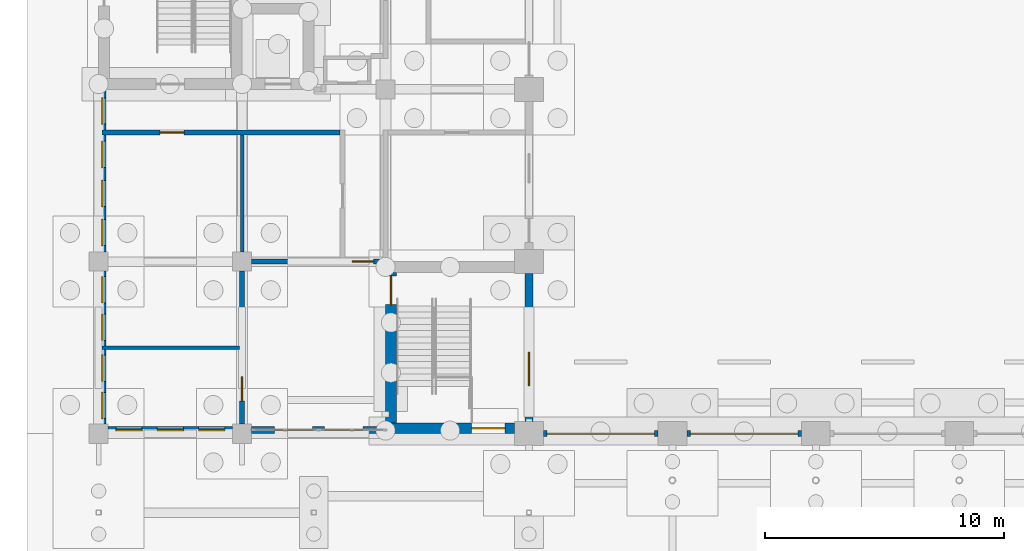
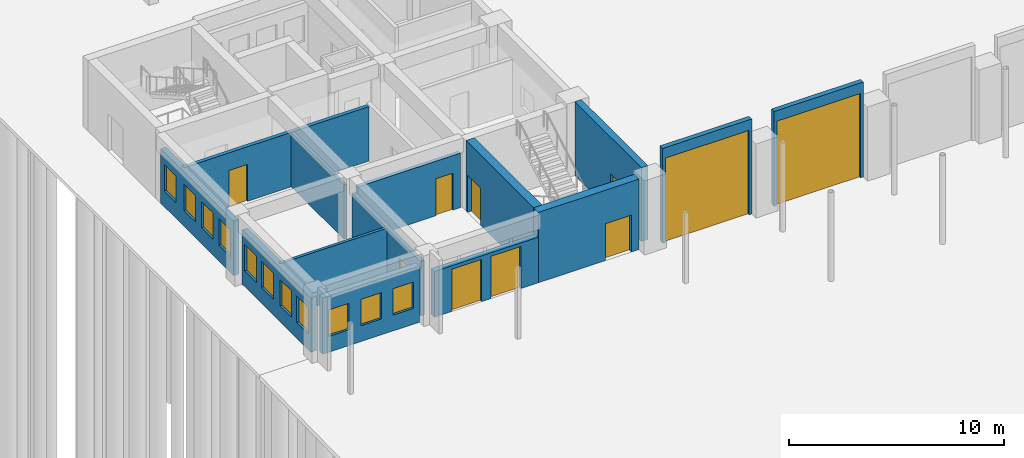
# One storey, part 20 of 37: 14 walls, 11 windows, 10 doors, 21 openings.
"""IFC4 building model written with IfcOpenShell, lengths in metres."""

from ifc_helpers import new_model, si_unit, direction, frame, frame_2d, origin, place, context, subcontext, project, spatial, rectangle, extrude, material, layer, layer_set, type_object, element, fill, save


model = new_model("IFC4")

# Units and contexts
model_context = context("Model", 3, precision=1e-05, world=origin(), true_north=direction((0.0, 1.0)))
body_context = subcontext(model_context, "Body", "Model", "MODEL_VIEW")
ifc_project = project(units=[si_unit("LENGTHUNIT", "METRE"), si_unit("AREAUNIT", "SQUARE_METRE"), si_unit("VOLUMEUNIT", "CUBIC_METRE"), si_unit("PLANEANGLEUNIT", "RADIAN"), si_unit("MASSUNIT", "GRAM", prefix="KILO")], contexts=[model_context])

# Site, building, storey
site_placement = place(None, origin())
site = spatial("IfcSite", under=ifc_project, at=site_placement, CompositionType="ELEMENT")
building_placement = place(site_placement, origin())
building = spatial("IfcBuilding", under=site, at=building_placement, Name="Laocheng Heights Fire and Rescue Headquarters", CompositionType="ELEMENT")
storey_placement = place(building_placement, origin())
storey = spatial("IfcBuildingStorey", under=building, at=storey_placement, Name="L00", CompositionType="ELEMENT", Elevation=0.0)

# Wall, opening, door
ifc_material_1 = material(Name="Gypsum plaster")
ifc_layer_1 = layer(ifc_material_1, 0.010009765625, Name="PLASTER", Category="plaster")
ifc_material_2 = material(Name="Concrete blockwork MU10", Category="masonry")
ifc_layer_2 = layer(ifc_material_2, 0.179931640625, Name="BLOCKWORK", Category="masonry")
ifc_layer_3 = layer(ifc_material_1, 0.010009765625, Name="PLASTER", Category="plaster")
ifc_layer_set_1 = layer_set([ifc_layer_1, ifc_layer_2, ifc_layer_3], Name="Concrete blockwork MU10")
wall_type_1 = type_object("IfcWallType", Name="BLOCKWORK FIRE PARTITION 200 EI 60 BAY", PredefinedType="PARTITIONING", material=ifc_layer_set_1)
wall_1_placement = place(storey_placement, frame((6.0, 0.39990234375, 0.0), z_axis=(0.0, 0.0, 1.0), x_axis=(0.0, 1.0, 0.0)))
wall_1 = element("IfcWall", 1, at=wall_1_placement, inside=storey, type_object=wall_type_1, Name="Partition L00-001", PredefinedType="PARTITIONING", context=body_context, shape_type="SweptSolid", body=[
    extrude(rectangle(XDim=6.400146484375, YDim=0.199951171875, at=frame_2d((3.2001953125, 0.0))), origin(), (0.0, 0.0, 1.0), 3.10009765625),
])
opening_1_placement = place(wall_1_placement, frame((0.97509765625, 0.0, 0.0)))
opening_1 = element("IfcOpeningElement", 2, at=opening_1_placement, cuts=wall_1, Name="Opening L00-I01", PredefinedType="OPENING", context=body_context, shape_type="SweptSolid", body=[
    extrude(rectangle(XDim=1.0, YDim=2.10009765625, at=frame_2d((0.5, 1.050048828125))), frame((0.0, 0.10986328125, 0.0), z_axis=(0.0, -1.0, 0.0), x_axis=(1.0, 0.0, 0.0)), (0.0, 0.0, 1.0), 0.219970703125),
])
ifc_material_3 = material(Name="Steel door leaf, painted", Category="steel")
door_type_1 = type_object("IfcDoorType", Name="STEEL FIRE DOOR 1000x2100 EI 60 BAY", OperationType="SINGLE_SWING_LEFT", PredefinedType="DOOR", material=ifc_material_3)
door_1_placement = place(opening_1_placement, origin())
door_1 = element("IfcDoor", 3, at=door_1_placement, inside=storey, type_object=door_type_1, Name="Door L00-I01", OperationType="SINGLE_SWING_LEFT", OverallHeight=2.10009765625, OverallWidth=1.0, PredefinedType="DOOR", context=body_context, shape_type="SweptSolid", body=[
    extrude(rectangle(XDim=1.0, YDim=2.10009765625, at=frame_2d((0.5, 1.050048828125))), frame((0.0, 0.02490234375, 0.0), z_axis=(0.0, -1.0, 0.0), x_axis=(1.0, 0.0, 0.0)), (0.0, 0.0, 1.0), 0.050048828125),
])
fill(opening_1, door_1)

wall_2_placement = place(storey_placement, frame((6.39990234375, 7.199951171875, 0.0), z_axis=(0.0, 0.0, 1.0), x_axis=(1.0, 0.0, 0.0)))
wall_2 = element("IfcWall", 4, at=wall_2_placement, inside=storey, type_object=wall_type_1, Name="Partition L00-020", PredefinedType="PARTITIONING", context=body_context, shape_type="SweptSolid", body=[
    extrude(rectangle(XDim=5.5, YDim=0.199951171875, at=frame_2d((2.75, 0.0))), origin(), (0.0, 0.0, 1.0), 3.10009765625),
])
opening_2_placement = place(wall_2_placement, frame((4.199951171875, 0.0, 0.0)))
opening_2 = element("IfcOpeningElement", 5, at=opening_2_placement, cuts=wall_2, Name="Opening L00-I02", PredefinedType="OPENING", context=body_context, shape_type="SweptSolid", body=[
    extrude(rectangle(XDim=0.89990234375, YDim=2.10009765625, at=frame_2d((0.449951171875, 1.050048828125))), frame((0.0, 0.10986328125, 0.0), z_axis=(0.0, -1.0, 0.0), x_axis=(1.0, 0.0, 0.0)), (0.0, 0.0, 1.0), 0.219970703125),
])
ifc_material_4 = material(Name="Steel door leaf, painted", Category="steel")
door_type_2 = type_object("IfcDoorType", Name="STEEL FIRE DOOR 900x2100 EI 60 BAY", OperationType="SINGLE_SWING_LEFT", PredefinedType="DOOR", material=ifc_material_4)
door_2_placement = place(opening_2_placement, frame((0.89990234375, 0.0, 0.0), z_axis=(0.0, 0.0, 1.0), x_axis=(-1.0, 0.0, 0.0)))
door_2 = element("IfcDoor", 6, at=door_2_placement, inside=storey, type_object=door_type_2, Name="Door L00-I02", OperationType="SINGLE_SWING_LEFT", OverallHeight=2.10009765625, OverallWidth=0.89990234375, PredefinedType="DOOR", context=body_context, shape_type="SweptSolid", body=[
    extrude(rectangle(XDim=0.89990234375, YDim=2.10009765625, at=frame_2d((0.449951171875, 1.050048828125))), frame((0.0, 0.02490234375, 0.0), z_axis=(0.0, -1.0, 0.0), x_axis=(1.0, 0.0, 0.0)), (0.0, 0.0, 1.0), 0.050048828125),
])
fill(opening_2, door_2)

wall_3_placement = place(storey_placement, frame((0.14990234375, 12.60009765625, 0.0), z_axis=(0.0, 0.0, 1.0), x_axis=(1.0, 0.0, 0.0)))
wall_3 = element("IfcWall", 7, at=wall_3_placement, inside=storey, type_object=wall_type_1, Name="Partition L00-021", PredefinedType="PARTITIONING", context=body_context, shape_type="SweptSolid", body=[
    extrude(rectangle(XDim=9.9501953125, YDim=0.199951171875, at=frame_2d((4.97509765625, 0.0))), origin(), (0.0, 0.0, 1.0), 3.10009765625),
])
opening_3_placement = place(wall_3_placement, frame((2.425048828125, 0.0, 0.0)))
opening_3 = element("IfcOpeningElement", 8, at=opening_3_placement, cuts=wall_3, Name="Opening L00-I03", PredefinedType="OPENING", context=body_context, shape_type="SweptSolid", body=[
    extrude(rectangle(XDim=1.0, YDim=2.10009765625, at=frame_2d((0.5, 1.050048828125))), frame((0.0, 0.10986328125, 0.0), z_axis=(0.0, -1.0, 0.0), x_axis=(1.0, 0.0, 0.0)), (0.0, 0.0, 1.0), 0.219970703125),
])
door_3_placement = place(opening_3_placement, frame((1.0, 0.0, 0.0), z_axis=(0.0, 0.0, 1.0), x_axis=(-1.0, 0.0, 0.0)))
door_3 = element("IfcDoor", 9, at=door_3_placement, inside=storey, type_object=door_type_1, Name="Door L00-I03", OperationType="SINGLE_SWING_RIGHT", OverallHeight=2.10009765625, OverallWidth=1.0, PredefinedType="DOOR", context=body_context, shape_type="SweptSolid", body=[
    extrude(rectangle(XDim=1.0, YDim=2.10009765625, at=frame_2d((0.5, 1.050048828125))), frame((0.0, 0.02490234375, 0.0), z_axis=(0.0, -1.0, 0.0), x_axis=(1.0, 0.0, 0.0)), (0.0, 0.0, 1.0), 0.050048828125),
])
fill(opening_3, door_3)

# Walls
ifc_material_5 = material(Name="Gypsum plaster")
ifc_layer_4 = layer(ifc_material_5, 0.010009765625, Name="PLASTER", Category="plaster")
ifc_material_6 = material(Name="Concrete blockwork MU10", Category="masonry")
ifc_layer_5 = layer(ifc_material_6, 0.1298828125, Name="BLOCKWORK", Category="masonry")
ifc_layer_6 = layer(ifc_material_5, 0.010009765625, Name="PLASTER", Category="plaster")
ifc_layer_set_2 = layer_set([ifc_layer_4, ifc_layer_5, ifc_layer_6], Name="Concrete blockwork MU10")
wall_type_2 = type_object("IfcWallType", Name="BLOCKWORK PARTITION 150 EI 45 BAY", PredefinedType="PARTITIONING", material=ifc_layer_set_2)
wall_4_placement = place(storey_placement, frame((6.0, 7.60009765625, 0.0), z_axis=(0.0, 0.0, 1.0), x_axis=(0.0, 1.0, 0.0)))
element("IfcWall", 10, at=wall_4_placement, inside=storey, type_object=wall_type_2, Name="Partition L00-002", PredefinedType="PARTITIONING", context=body_context, shape_type="SweptSolid", body=[
    extrude(rectangle(XDim=4.89990234375, YDim=0.14990234375, at=frame_2d((2.449951171875, 0.0))), origin(), (0.0, 0.0, 1.0), 3.10009765625),
])
wall_5_placement = place(storey_placement, frame((0.14990234375, 3.60009765625, 0.0), z_axis=(0.0, 0.0, 1.0), x_axis=(1.0, 0.0, 0.0)))
element("IfcWall", 11, at=wall_5_placement, inside=storey, type_object=wall_type_2, Name="Partition L00-017", PredefinedType="PARTITIONING", context=body_context, shape_type="SweptSolid", body=[
    extrude(rectangle(XDim=5.75, YDim=0.14990234375, at=frame_2d((2.875, 0.0))), origin(), (0.0, 0.0, 1.0), 3.10009765625),
])

# Wall, openings, windows
ifc_material_7 = material(Name="Precast concrete C40/50", Category="concrete")
ifc_layer_7 = layer(ifc_material_7, 0.300048828125)
ifc_layer_set_3 = layer_set([ifc_layer_7], Name="Precast concrete C40/50")
wall_type_3 = type_object("IfcWallType", Name="PRECAST SANDWICH WALL 300 WEST FLANK", PredefinedType="SOLIDWALL", material=ifc_layer_set_3)
wall_6_placement = place(storey_placement, frame((0.39990234375, 0.14990234375, 0.0), z_axis=(0.0, 0.0, 1.0), x_axis=(1.0, 0.0, 0.0)))
wall_6 = element("IfcWall", 12, at=wall_6_placement, inside=storey, type_object=wall_type_3, Name="Flank W wall L00", PredefinedType="SOLIDWALL", context=body_context, shape_type="SweptSolid", body=[
    extrude(rectangle(XDim=5.2001953125, YDim=0.300048828125, at=frame_2d((2.60009765625, 0.0))), origin(), (0.0, 0.0, 1.0), 3.199951171875),
])
opening_4_placement = place(wall_6_placement, frame((0.316650390625, 0.0, 0.89990234375)))
opening_4 = element("IfcOpeningElement", 13, at=opening_4_placement, cuts=wall_6, Name="Opening N1-E", PredefinedType="OPENING", context=body_context, shape_type="SweptSolid", body=[
    extrude(rectangle(XDim=1.10009765625, YDim=1.5, at=frame_2d((0.550048828125, 0.75))), frame((0.0, 0.159912109375, 0.0), z_axis=(0.0, -1.0, 0.0), x_axis=(1.0, 0.0, 0.0)), (0.0, 0.0, 1.0), 0.320068359375),
])
opening_5_placement = place(wall_6_placement, frame((2.050048828125, 0.0, 0.89990234375)))
opening_5 = element("IfcOpeningElement", 14, at=opening_5_placement, cuts=wall_6, Name="Opening N1-E", PredefinedType="OPENING", context=body_context, shape_type="SweptSolid", body=[
    extrude(rectangle(XDim=1.10009765625, YDim=1.5, at=frame_2d((0.550048828125, 0.75))), frame((0.0, 0.159912109375, 0.0), z_axis=(0.0, -1.0, 0.0), x_axis=(1.0, 0.0, 0.0)), (0.0, 0.0, 1.0), 0.320068359375),
])
opening_6_placement = place(wall_6_placement, frame((3.783203125, 0.0, 0.89990234375)))
opening_6 = element("IfcOpeningElement", 15, at=opening_6_placement, cuts=wall_6, Name="Opening N1-E", PredefinedType="OPENING", context=body_context, shape_type="SweptSolid", body=[
    extrude(rectangle(XDim=1.10009765625, YDim=1.5, at=frame_2d((0.550048828125, 0.75))), frame((0.0, 0.159912109375, 0.0), z_axis=(0.0, -1.0, 0.0), x_axis=(1.0, 0.0, 0.0)), (0.0, 0.0, 1.0), 0.320068359375),
])
ifc_material_8 = material(Name="Low-e double glazing in thermally broken aluminium frame", Category="aluminium")
window_type = type_object("IfcWindowType", Name="CASEMENT WINDOW 1100 x 1500 SILL 900", PartitioningType="SINGLE_PANEL", PredefinedType="WINDOW", material=ifc_material_8)
window_1_placement = place(opening_4_placement, origin())
window_1 = element("IfcWindow", 16, at=window_1_placement, inside=storey, type_object=window_type, Name="Flank_W window L00", OverallHeight=1.5, OverallWidth=1.10009765625, PartitioningType="SINGLE_PANEL", PredefinedType="WINDOW", context=body_context, shape_type="SweptSolid", body=[
    extrude(rectangle(XDim=1.10009765625, YDim=1.5, at=frame_2d((0.550048828125, 0.75))), frame((0.0, 0.030029296875, 0.0), z_axis=(0.0, -1.0, 0.0), x_axis=(1.0, 0.0, 0.0)), (0.0, 0.0, 1.0), 0.06005859375),
])
fill(opening_4, window_1)
window_2_placement = place(opening_5_placement, origin())
window_2 = element("IfcWindow", 17, at=window_2_placement, inside=storey, type_object=window_type, Name="Flank_W window L00", OverallHeight=1.5, OverallWidth=1.10009765625, PartitioningType="SINGLE_PANEL", PredefinedType="WINDOW", context=body_context, shape_type="SweptSolid", body=[
    extrude(rectangle(XDim=1.10009765625, YDim=1.5, at=frame_2d((0.550048828125, 0.75))), frame((0.0, 0.030029296875, 0.0), z_axis=(0.0, -1.0, 0.0), x_axis=(1.0, 0.0, 0.0)), (0.0, 0.0, 1.0), 0.06005859375),
])
fill(opening_5, window_2)
window_3_placement = place(opening_6_placement, origin())
window_3 = element("IfcWindow", 18, at=window_3_placement, inside=storey, type_object=window_type, Name="Flank_W window L00", OverallHeight=1.5, OverallWidth=1.10009765625, PartitioningType="SINGLE_PANEL", PredefinedType="WINDOW", context=body_context, shape_type="SweptSolid", body=[
    extrude(rectangle(XDim=1.10009765625, YDim=1.5, at=frame_2d((0.550048828125, 0.75))), frame((0.0, 0.030029296875, 0.0), z_axis=(0.0, -1.0, 0.0), x_axis=(1.0, 0.0, 0.0)), (0.0, 0.0, 1.0), 0.06005859375),
])
fill(opening_6, window_3)

# Wall, openings, doors
wall_7_placement = place(storey_placement, frame((6.39990234375, 0.14990234375, 0.0), z_axis=(0.0, 0.0, 1.0), x_axis=(1.0, 0.0, 0.0)))
wall_7 = element("IfcWall", 19, at=wall_7_placement, inside=storey, type_object=wall_type_3, Name="Flank W wall L00", PredefinedType="SOLIDWALL", context=body_context, shape_type="SweptSolid", body=[
    extrude(rectangle(XDim=5.60009765625, YDim=0.300048828125, at=frame_2d((2.800048828125, 0.0))), origin(), (0.0, 0.0, 1.0), 2.60009765625),
])
opening_7_placement = place(wall_7_placement, frame((0.949951171875, 0.0, 0.0)))
opening_7 = element("IfcOpeningElement", 20, at=opening_7_placement, cuts=wall_7, Name="Opening L00-E01", PredefinedType="OPENING", context=body_context, shape_type="SweptSolid", body=[
    extrude(rectangle(XDim=1.60009765625, YDim=2.39990234375, at=frame_2d((0.800048828125, 1.199951171875))), frame((0.0, 0.159912109375, 0.0), z_axis=(0.0, -1.0, 0.0), x_axis=(1.0, 0.0, 0.0)), (0.0, 0.0, 1.0), 0.320068359375),
])
opening_8_placement = place(wall_7_placement, frame((3.050048828125, 0.0, 0.0)))
opening_8 = element("IfcOpeningElement", 21, at=opening_8_placement, cuts=wall_7, Name="Opening L00-E02", PredefinedType="OPENING", context=body_context, shape_type="SweptSolid", body=[
    extrude(rectangle(XDim=1.60009765625, YDim=2.39990234375, at=frame_2d((0.800048828125, 1.199951171875))), frame((0.0, 0.159912109375, 0.0), z_axis=(0.0, -1.0, 0.0), x_axis=(1.0, 0.0, 0.0)), (0.0, 0.0, 1.0), 0.320068359375),
])
ifc_material_9 = material(Name="Aluminium framed glazed door, low-e double glazing", Category="aluminium")
door_type_3 = type_object("IfcDoorType", Name="ENTRANCE DOOR GLAZED ALUMINIUM 1600 x 2400 EI 60", OperationType="SINGLE_SWING_LEFT", PredefinedType="DOOR", material=ifc_material_9)
door_4_placement = place(opening_7_placement, frame((1.60009765625, 0.0, 0.0), z_axis=(0.0, 0.0, 1.0), x_axis=(-1.0, 0.0, 0.0)))
door_4 = element("IfcDoor", 22, at=door_4_placement, inside=storey, type_object=door_type_3, Name="Entrance door L00-E01", OperationType="SINGLE_SWING_RIGHT", OverallHeight=2.39990234375, OverallWidth=1.60009765625, PredefinedType="DOOR", context=body_context, shape_type="SweptSolid", body=[
    extrude(rectangle(XDim=1.60009765625, YDim=2.39990234375, at=frame_2d((0.800048828125, 1.199951171875))), frame((0.0, 0.02490234375, 0.0), z_axis=(0.0, -1.0, 0.0), x_axis=(1.0, 0.0, 0.0)), (0.0, 0.0, 1.0), 0.050048828125),
])
fill(opening_7, door_4)
door_5_placement = place(opening_8_placement, frame((1.60009765625, 0.0, 0.0), z_axis=(0.0, 0.0, 1.0), x_axis=(-1.0, 0.0, 0.0)))
door_5 = element("IfcDoor", 23, at=door_5_placement, inside=storey, type_object=door_type_3, Name="Entrance door L00-E02", OperationType="SINGLE_SWING_RIGHT", OverallHeight=2.39990234375, OverallWidth=1.60009765625, PredefinedType="DOOR", context=body_context, shape_type="SweptSolid", body=[
    extrude(rectangle(XDim=1.60009765625, YDim=2.39990234375, at=frame_2d((0.800048828125, 1.199951171875))), frame((0.0, 0.02490234375, 0.0), z_axis=(0.0, -1.0, 0.0), x_axis=(1.0, 0.0, 0.0)), (0.0, 0.0, 1.0), 0.050048828125),
])
fill(opening_8, door_5)

# Wall, openings, windows
wall_8_placement = place(storey_placement, frame((0.14990234375, 0.39990234375, 0.0), z_axis=(0.0, 0.0, 1.0), x_axis=(0.0, 1.0, 0.0)))
wall_8 = element("IfcWall", 24, at=wall_8_placement, inside=storey, type_object=wall_type_3, Name="Flank W wall L00", PredefinedType="SOLIDWALL", context=body_context, shape_type="SweptSolid", body=[
    extrude(rectangle(XDim=6.400146484375, YDim=0.300048828125, at=frame_2d((3.2001953125, 0.0))), origin(), (0.0, 0.0, 1.0), 3.10009765625),
])
opening_9_placement = place(wall_8_placement, frame((0.231201171875, 0.0, 0.89990234375)))
opening_9 = element("IfcOpeningElement", 25, at=opening_9_placement, cuts=wall_8, Name="Opening N1-E", PredefinedType="OPENING", context=body_context, shape_type="SweptSolid", body=[
    extrude(rectangle(XDim=1.10009765625, YDim=1.5, at=frame_2d((0.550048828125, 0.75))), frame((0.0, 0.159912109375, 0.0), z_axis=(0.0, -1.0, 0.0), x_axis=(1.0, 0.0, 0.0)), (0.0, 0.0, 1.0), 0.320068359375),
])
opening_10_placement = place(wall_8_placement, frame((1.793701171875, 0.0, 0.89990234375)))
opening_10 = element("IfcOpeningElement", 26, at=opening_10_placement, cuts=wall_8, Name="Opening N1-E", PredefinedType="OPENING", context=body_context, shape_type="SweptSolid", body=[
    extrude(rectangle(XDim=1.10009765625, YDim=1.5, at=frame_2d((0.550048828125, 0.75))), frame((0.0, 0.159912109375, 0.0), z_axis=(0.0, -1.0, 0.0), x_axis=(1.0, 0.0, 0.0)), (0.0, 0.0, 1.0), 0.320068359375),
])
opening_11_placement = place(wall_8_placement, frame((3.50634765625, 0.0, 0.89990234375)))
opening_11 = element("IfcOpeningElement", 27, at=opening_11_placement, cuts=wall_8, Name="Opening N1-E", PredefinedType="OPENING", context=body_context, shape_type="SweptSolid", body=[
    extrude(rectangle(XDim=1.10009765625, YDim=1.5, at=frame_2d((0.550048828125, 0.75))), frame((0.0, 0.159912109375, 0.0), z_axis=(0.0, -1.0, 0.0), x_axis=(1.0, 0.0, 0.0)), (0.0, 0.0, 1.0), 0.320068359375),
])
opening_12_placement = place(wall_8_placement, frame((5.068603515625, 0.0, 0.89990234375)))
opening_12 = element("IfcOpeningElement", 28, at=opening_12_placement, cuts=wall_8, Name="Opening N1-E", PredefinedType="OPENING", context=body_context, shape_type="SweptSolid", body=[
    extrude(rectangle(XDim=1.10009765625, YDim=1.5, at=frame_2d((0.550048828125, 0.75))), frame((0.0, 0.159912109375, 0.0), z_axis=(0.0, -1.0, 0.0), x_axis=(1.0, 0.0, 0.0)), (0.0, 0.0, 1.0), 0.320068359375),
])
window_4_placement = place(opening_9_placement, origin())
window_4 = element("IfcWindow", 29, at=window_4_placement, inside=storey, type_object=window_type, Name="Flank_W window L00", OverallHeight=1.5, OverallWidth=1.10009765625, PartitioningType="SINGLE_PANEL", PredefinedType="WINDOW", context=body_context, shape_type="SweptSolid", body=[
    extrude(rectangle(XDim=1.10009765625, YDim=1.5, at=frame_2d((0.550048828125, 0.75))), frame((0.0, 0.030029296875, 0.0), z_axis=(0.0, -1.0, 0.0), x_axis=(1.0, 0.0, 0.0)), (0.0, 0.0, 1.0), 0.06005859375),
])
fill(opening_9, window_4)
window_5_placement = place(opening_10_placement, origin())
window_5 = element("IfcWindow", 30, at=window_5_placement, inside=storey, type_object=window_type, Name="Flank_W window L00", OverallHeight=1.5, OverallWidth=1.10009765625, PartitioningType="SINGLE_PANEL", PredefinedType="WINDOW", context=body_context, shape_type="SweptSolid", body=[
    extrude(rectangle(XDim=1.10009765625, YDim=1.5, at=frame_2d((0.550048828125, 0.75))), frame((0.0, 0.030029296875, 0.0), z_axis=(0.0, -1.0, 0.0), x_axis=(1.0, 0.0, 0.0)), (0.0, 0.0, 1.0), 0.06005859375),
])
fill(opening_10, window_5)
window_6_placement = place(opening_11_placement, origin())
window_6 = element("IfcWindow", 31, at=window_6_placement, inside=storey, type_object=window_type, Name="Flank_W window L00", OverallHeight=1.5, OverallWidth=1.10009765625, PartitioningType="SINGLE_PANEL", PredefinedType="WINDOW", context=body_context, shape_type="SweptSolid", body=[
    extrude(rectangle(XDim=1.10009765625, YDim=1.5, at=frame_2d((0.550048828125, 0.75))), frame((0.0, 0.030029296875, 0.0), z_axis=(0.0, -1.0, 0.0), x_axis=(1.0, 0.0, 0.0)), (0.0, 0.0, 1.0), 0.06005859375),
])
fill(opening_11, window_6)
window_7_placement = place(opening_12_placement, origin())
window_7 = element("IfcWindow", 32, at=window_7_placement, inside=storey, type_object=window_type, Name="Flank_W window L00", OverallHeight=1.5, OverallWidth=1.10009765625, PartitioningType="SINGLE_PANEL", PredefinedType="WINDOW", context=body_context, shape_type="SweptSolid", body=[
    extrude(rectangle(XDim=1.10009765625, YDim=1.5, at=frame_2d((0.550048828125, 0.75))), frame((0.0, 0.030029296875, 0.0), z_axis=(0.0, -1.0, 0.0), x_axis=(1.0, 0.0, 0.0)), (0.0, 0.0, 1.0), 0.06005859375),
])
fill(opening_12, window_7)

wall_9_placement = place(storey_placement, frame((0.14990234375, 7.60009765625, 0.0), z_axis=(0.0, 0.0, 1.0), x_axis=(0.0, 1.0, 0.0)))
wall_9 = element("IfcWall", 33, at=wall_9_placement, inside=storey, type_object=wall_type_3, Name="Flank W wall L00", PredefinedType="SOLIDWALL", context=body_context, shape_type="SweptSolid", body=[
    extrude(rectangle(XDim=6.7998046875, YDim=0.300048828125, at=frame_2d((3.39990234375, 0.0))), origin(), (0.0, 0.0, 1.0), 3.10009765625),
])
opening_13_placement = place(wall_9_placement, frame((0.2666015625, 0.0, 0.89990234375)))
opening_13 = element("IfcOpeningElement", 34, at=opening_13_placement, cuts=wall_9, Name="Opening N1-E", PredefinedType="OPENING", context=body_context, shape_type="SweptSolid", body=[
    extrude(rectangle(XDim=1.10009765625, YDim=1.5, at=frame_2d((0.550048828125, 0.75))), frame((0.0, 0.159912109375, 0.0), z_axis=(0.0, -1.0, 0.0), x_axis=(1.0, 0.0, 0.0)), (0.0, 0.0, 1.0), 0.320068359375),
])
opening_14_placement = place(wall_9_placement, frame((1.89990234375, 0.0, 0.89990234375)))
opening_14 = element("IfcOpeningElement", 35, at=opening_14_placement, cuts=wall_9, Name="Opening N1-E", PredefinedType="OPENING", context=body_context, shape_type="SweptSolid", body=[
    extrude(rectangle(XDim=1.10009765625, YDim=1.5, at=frame_2d((0.550048828125, 0.75))), frame((0.0, 0.159912109375, 0.0), z_axis=(0.0, -1.0, 0.0), x_axis=(1.0, 0.0, 0.0)), (0.0, 0.0, 1.0), 0.320068359375),
])
opening_15_placement = place(wall_9_placement, frame((3.533203125, 0.0, 0.89990234375)))
opening_15 = element("IfcOpeningElement", 36, at=opening_15_placement, cuts=wall_9, Name="Opening N1-E", PredefinedType="OPENING", context=body_context, shape_type="SweptSolid", body=[
    extrude(rectangle(XDim=1.10009765625, YDim=1.5, at=frame_2d((0.550048828125, 0.75))), frame((0.0, 0.159912109375, 0.0), z_axis=(0.0, -1.0, 0.0), x_axis=(1.0, 0.0, 0.0)), (0.0, 0.0, 1.0), 0.320068359375),
])
opening_16_placement = place(wall_9_placement, frame((5.35009765625, 0.0, 0.89990234375)))
opening_16 = element("IfcOpeningElement", 37, at=opening_16_placement, cuts=wall_9, Name="Opening N1-E", PredefinedType="OPENING", context=body_context, shape_type="SweptSolid", body=[
    extrude(rectangle(XDim=1.10009765625, YDim=1.5, at=frame_2d((0.550048828125, 0.75))), frame((0.0, 0.159912109375, 0.0), z_axis=(0.0, -1.0, 0.0), x_axis=(1.0, 0.0, 0.0)), (0.0, 0.0, 1.0), 0.320068359375),
])
window_8_placement = place(opening_13_placement, origin())
window_8 = element("IfcWindow", 38, at=window_8_placement, inside=storey, type_object=window_type, Name="Flank_W window L00", OverallHeight=1.5, OverallWidth=1.10009765625, PartitioningType="SINGLE_PANEL", PredefinedType="WINDOW", context=body_context, shape_type="SweptSolid", body=[
    extrude(rectangle(XDim=1.10009765625, YDim=1.5, at=frame_2d((0.550048828125, 0.75))), frame((0.0, 0.030029296875, 0.0), z_axis=(0.0, -1.0, 0.0), x_axis=(1.0, 0.0, 0.0)), (0.0, 0.0, 1.0), 0.06005859375),
])
fill(opening_13, window_8)
window_9_placement = place(opening_14_placement, origin())
window_9 = element("IfcWindow", 39, at=window_9_placement, inside=storey, type_object=window_type, Name="Flank_W window L00", OverallHeight=1.5, OverallWidth=1.10009765625, PartitioningType="SINGLE_PANEL", PredefinedType="WINDOW", context=body_context, shape_type="SweptSolid", body=[
    extrude(rectangle(XDim=1.10009765625, YDim=1.5, at=frame_2d((0.550048828125, 0.75))), frame((0.0, 0.030029296875, 0.0), z_axis=(0.0, -1.0, 0.0), x_axis=(1.0, 0.0, 0.0)), (0.0, 0.0, 1.0), 0.06005859375),
])
fill(opening_14, window_9)
window_10_placement = place(opening_15_placement, origin())
window_10 = element("IfcWindow", 40, at=window_10_placement, inside=storey, type_object=window_type, Name="Flank_W window L00", OverallHeight=1.5, OverallWidth=1.10009765625, PartitioningType="SINGLE_PANEL", PredefinedType="WINDOW", context=body_context, shape_type="SweptSolid", body=[
    extrude(rectangle(XDim=1.10009765625, YDim=1.5, at=frame_2d((0.550048828125, 0.75))), frame((0.0, 0.030029296875, 0.0), z_axis=(0.0, -1.0, 0.0), x_axis=(1.0, 0.0, 0.0)), (0.0, 0.0, 1.0), 0.06005859375),
])
fill(opening_15, window_10)
window_11_placement = place(opening_16_placement, origin())
window_11 = element("IfcWindow", 41, at=window_11_placement, inside=storey, type_object=window_type, Name="Flank_W window L00", OverallHeight=1.5, OverallWidth=1.10009765625, PartitioningType="SINGLE_PANEL", PredefinedType="WINDOW", context=body_context, shape_type="SweptSolid", body=[
    extrude(rectangle(XDim=1.10009765625, YDim=1.5, at=frame_2d((0.550048828125, 0.75))), frame((0.0, 0.030029296875, 0.0), z_axis=(0.0, -1.0, 0.0), x_axis=(1.0, 0.0, 0.0)), (0.0, 0.0, 1.0), 0.06005859375),
])
fill(opening_16, window_11)

# Wall, opening, door
ifc_material_10 = material(Name="Concrete C50", Category="concrete")
ifc_layer_8 = layer(ifc_material_10, 0.35009765625)
ifc_layer_set_4 = layer_set([ifc_layer_8], Name="Concrete C50")
wall_type_4 = type_object("IfcWallType", Name="RC COMPARTMENT WALL 350 HALL REI 180", PredefinedType="SOLIDWALL", material=ifc_layer_set_4)
wall_10_placement = place(storey_placement, frame((18.0, 0.5, 0.0), z_axis=(0.0, 0.0, 1.0), x_axis=(0.0, 1.0, 0.0)))
wall_10 = element("IfcWall", 42, at=wall_10_placement, inside=storey, type_object=wall_type_4, Name="Hall compartment wall W1", PredefinedType="SOLIDWALL", context=body_context, shape_type="SweptSolid", body=[
    extrude(rectangle(XDim=6.199951171875, YDim=0.35009765625, at=frame_2d((3.10009765625, 0.0))), origin(), (0.0, 0.0, 1.0), 4.199951171875),
])
opening_17_placement = place(wall_10_placement, frame((1.5, 0.0, 0.0)))
opening_17 = element("IfcOpeningElement", 43, at=opening_17_placement, cuts=wall_10, Name="Opening L00-I18", PredefinedType="OPENING", context=body_context, shape_type="SweptSolid", body=[
    extrude(rectangle(XDim=1.39990234375, YDim=2.10009765625, at=frame_2d((0.699951171875, 1.050048828125))), frame((0.0, 0.18505859375, 0.0), z_axis=(0.0, -1.0, 0.0), x_axis=(1.0, 0.0, 0.0)), (0.0, 0.0, 1.0), 0.3701171875),
])
ifc_material_11 = material(Name="Steel door leaf with vision panel, double acting", Category="steel")
door_type_4 = type_object("IfcDoorType", Name="DOUBLE-ACTING DOOR 1400 x 2100 WITH VISION PANEL EI 120", OperationType="DOUBLE_DOOR_DOUBLE_SWING", PredefinedType="DOOR", material=ifc_material_11)
door_6_placement = place(opening_17_placement, origin())
door_6 = element("IfcDoor", 44, at=door_6_placement, inside=storey, type_object=door_type_4, Name="Door L00-I18", OperationType="DOUBLE_DOOR_DOUBLE_SWING", OverallHeight=2.10009765625, OverallWidth=1.39990234375, PredefinedType="DOOR", context=body_context, shape_type="SweptSolid", body=[
    extrude(rectangle(XDim=1.39990234375, YDim=2.10009765625, at=frame_2d((0.699951171875, 1.050048828125))), frame((0.0, 0.02490234375, 0.0), z_axis=(0.0, -1.0, 0.0), x_axis=(1.0, 0.0, 0.0)), (0.0, 0.0, 1.0), 0.050048828125),
])
fill(opening_17, door_6)

ifc_material_12 = material(Name="Concrete C40", Category="concrete")
ifc_layer_9 = layer(ifc_material_12, 0.25)
ifc_layer_set_5 = layer_set([ifc_layer_9], Name="Concrete C40")
wall_type_5 = type_object("IfcWallType", Name="RC DOOR WALL 250 BAY GABLE", PredefinedType="SOLIDWALL", material=ifc_layer_set_5)
wall_11_placement = place(storey_placement, frame((18.60009765625, 0.0, 0.0), z_axis=(0.0, 0.0, 1.0), x_axis=(1.0, 0.0, 0.0)))
wall_11 = element("IfcWall", 45, at=wall_11_placement, inside=storey, type_object=wall_type_5, Name="Gable door wall S1", PredefinedType="SOLIDWALL", context=body_context, shape_type="SweptSolid", body=[
    extrude(rectangle(XDim=4.7998046875, YDim=0.25, at=frame_2d((2.39990234375, 0.0))), origin(), (0.0, 0.0, 1.0), 5.39990234375),
])
opening_18_placement = place(wall_11_placement, frame((0.14990234375, 0.0, 0.0)))
opening_18 = element("IfcOpeningElement", 46, at=opening_18_placement, cuts=wall_11, Name="Opening L00-P01", PredefinedType="OPENING", context=body_context, shape_type="SweptSolid", body=[
    extrude(rectangle(XDim=4.5, YDim=4.800048828125, at=frame_2d((2.25, 2.39990234375))), frame((0.0, 0.135009765625, 0.0), z_axis=(0.0, -1.0, 0.0), x_axis=(1.0, 0.0, 0.0)), (0.0, 0.0, 1.0), 0.27001953125),
])
ifc_material_13 = material(Name="Powder-coated steel sectional door, signal red, vision panels", Category="steel")
door_type_5 = type_object("IfcDoorType", Name="SECTIONAL OVERHEAD VEHICLE DOOR 4500 x 4800", OperationType="ROLLINGUP", PredefinedType="DOOR", material=ifc_material_13)
door_7_placement = place(opening_18_placement, frame((4.5, 0.0, 0.0), z_axis=(0.0, 0.0, 1.0), x_axis=(-1.0, 0.0, 0.0)))
door_7 = element("IfcDoor", 47, at=door_7_placement, inside=storey, type_object=door_type_5, Name="Vehicle door L00-P01", OperationType="ROLLINGUP", OverallHeight=4.800048828125, OverallWidth=4.5, PredefinedType="DOOR", context=body_context, shape_type="SweptSolid", body=[
    extrude(rectangle(XDim=4.5, YDim=4.800048828125, at=frame_2d((2.25, 2.39990234375))), frame((0.0, 0.02490234375, 0.0), z_axis=(0.0, -1.0, 0.0), x_axis=(1.0, 0.0, 0.0)), (0.0, 0.0, 1.0), 0.050048828125),
])
fill(opening_18, door_7)

wall_12_placement = place(storey_placement, frame((24.60009765625, 0.0, 0.0), z_axis=(0.0, 0.0, 1.0), x_axis=(1.0, 0.0, 0.0)))
wall_12 = element("IfcWall", 48, at=wall_12_placement, inside=storey, type_object=wall_type_5, Name="Gable door wall S2", PredefinedType="SOLIDWALL", context=body_context, shape_type="SweptSolid", body=[
    extrude(rectangle(XDim=4.7998046875, YDim=0.25, at=frame_2d((2.39990234375, 0.0))), origin(), (0.0, 0.0, 1.0), 5.39990234375),
])
opening_19_placement = place(wall_12_placement, frame((0.14990234375, 0.0, 0.0)))
opening_19 = element("IfcOpeningElement", 49, at=opening_19_placement, cuts=wall_12, Name="Opening L00-P02", PredefinedType="OPENING", context=body_context, shape_type="SweptSolid", body=[
    extrude(rectangle(XDim=4.5, YDim=4.800048828125, at=frame_2d((2.25, 2.39990234375))), frame((0.0, 0.135009765625, 0.0), z_axis=(0.0, -1.0, 0.0), x_axis=(1.0, 0.0, 0.0)), (0.0, 0.0, 1.0), 0.27001953125),
])
door_8_placement = place(opening_19_placement, frame((4.5, 0.0, 0.0), z_axis=(0.0, 0.0, 1.0), x_axis=(-1.0, 0.0, 0.0)))
door_8 = element("IfcDoor", 50, at=door_8_placement, inside=storey, type_object=door_type_5, Name="Vehicle door L00-P02", OperationType="ROLLINGUP", OverallHeight=4.800048828125, OverallWidth=4.5, PredefinedType="DOOR", context=body_context, shape_type="SweptSolid", body=[
    extrude(rectangle(XDim=4.5, YDim=4.800048828125, at=frame_2d((2.25, 2.39990234375))), frame((0.0, 0.02490234375, 0.0), z_axis=(0.0, -1.0, 0.0), x_axis=(1.0, 0.0, 0.0)), (0.0, 0.0, 1.0), 0.050048828125),
])
fill(opening_19, door_8)

ifc_material_14 = material(Name="Concrete C50", Category="concrete")
ifc_layer_10 = layer(ifc_material_14, 0.449951171875)
ifc_layer_set_6 = layer_set([ifc_layer_10], Name="Concrete C50")
wall_type_6 = type_object("IfcWallType", Name="RC STAIR ENCLOSURE WALL 450", PredefinedType="SHEAR", material=ifc_layer_set_6)
wall_13_placement = place(storey_placement, frame((12.0, 0.22509765625, 0.0), z_axis=(0.0, 0.0, 1.0), x_axis=(1.0, 0.0, 0.0)))
wall_13 = element("IfcWall", 51, at=wall_13_placement, inside=storey, type_object=wall_type_6, Name="Stair enclosure wall", PredefinedType="SHEAR", context=body_context, shape_type="SweptSolid", body=[
    extrude(rectangle(XDim=5.39990234375, YDim=0.449951171875, at=frame_2d((2.699951171875, 0.0))), origin(), (0.0, 0.0, 1.0), 4.0),
])
opening_20_placement = place(wall_13_placement, frame((3.60009765625, 0.0, 0.0)))
opening_20 = element("IfcOpeningElement", 52, at=opening_20_placement, cuts=wall_13, Name="Opening L00-K06", PredefinedType="OPENING", context=body_context, shape_type="SweptSolid", body=[
    extrude(rectangle(XDim=1.39990234375, YDim=2.10009765625, at=frame_2d((0.699951171875, 1.050048828125))), frame((0.0, 0.23486328125, 0.0), z_axis=(0.0, -1.0, 0.0), x_axis=(1.0, 0.0, 0.0)), (0.0, 0.0, 1.0), 0.469970703125),
])
ifc_material_15 = material(Name="Painted steel", Category="steel")
door_type_6 = type_object("IfcDoorType", Name="STAIR EXIT DOOR 1400x2100 EI 60", OperationType="DOUBLE_DOOR_SINGLE_SWING", PredefinedType="DOOR", material=ifc_material_15)
door_9_placement = place(opening_20_placement, frame((1.39990234375, 0.0, 0.0), z_axis=(0.0, 0.0, 1.0), x_axis=(-1.0, 0.0, 0.0)))
door_9 = element("IfcDoor", 53, at=door_9_placement, inside=storey, type_object=door_type_6, Name="Stair W2 exit door", OperationType="DOUBLE_DOOR_SINGLE_SWING", OverallHeight=2.10009765625, OverallWidth=1.39990234375, PredefinedType="DOOR", context=body_context, shape_type="SweptSolid", body=[
    extrude(rectangle(XDim=1.39990234375, YDim=2.10009765625, at=frame_2d((0.699951171875, 1.050048828125))), frame((0.0, 0.02490234375, 0.0), z_axis=(0.0, -1.0, 0.0), x_axis=(1.0, 0.0, 0.0)), (0.0, 0.0, 1.0), 0.050048828125),
])
fill(opening_20, door_9)

wall_14_placement = place(storey_placement, frame((12.22509765625, 0.449951171875, 0.0), z_axis=(0.0, 0.0, 1.0), x_axis=(0.0, 1.0, 0.0)))
wall_14 = element("IfcWall", 54, at=wall_14_placement, inside=storey, type_object=wall_type_6, Name="Stair enclosure wall", PredefinedType="SHEAR", context=body_context, shape_type="SweptSolid", body=[
    extrude(rectangle(XDim=6.300048828125, YDim=0.449951171875, at=frame_2d((3.14990234375, 0.0))), origin(), (0.0, 0.0, 1.0), 4.0),
])
opening_21_placement = place(wall_14_placement, frame((4.949951171875, 0.0, 0.0)))
opening_21 = element("IfcOpeningElement", 55, at=opening_21_placement, cuts=wall_14, Name="Opening L00-K05", PredefinedType="OPENING", context=body_context, shape_type="SweptSolid", body=[
    extrude(rectangle(XDim=1.199951171875, YDim=2.10009765625, at=frame_2d((0.60009765625, 1.050048828125))), frame((0.0, 0.23486328125, 0.0), z_axis=(0.0, -1.0, 0.0), x_axis=(1.0, 0.0, 0.0)), (0.0, 0.0, 1.0), 0.469970703125),
])
ifc_material_16 = material(Name="Painted steel", Category="steel")
door_type_7 = type_object("IfcDoorType", Name="FIRE DOOR 1200x2100 EI 60", OperationType="SINGLE_SWING_LEFT", PredefinedType="DOOR", material=ifc_material_16)
door_10_placement = place(opening_21_placement, frame((1.199951171875, 0.0, 0.0), z_axis=(0.0, 0.0, 1.0), x_axis=(-1.0, 0.0, 0.0)))
door_10 = element("IfcDoor", 56, at=door_10_placement, inside=storey, type_object=door_type_7, Name="Stair W2 door", OperationType="SINGLE_SWING_LEFT", OverallHeight=2.10009765625, OverallWidth=1.199951171875, PredefinedType="DOOR", context=body_context, shape_type="SweptSolid", body=[
    extrude(rectangle(XDim=1.199951171875, YDim=2.10009765625, at=frame_2d((0.60009765625, 1.050048828125))), frame((0.0, 0.02490234375, 0.0), z_axis=(0.0, -1.0, 0.0), x_axis=(1.0, 0.0, 0.0)), (0.0, 0.0, 1.0), 0.050048828125),
])
fill(opening_21, door_10)

save(model, "model.ifc")
